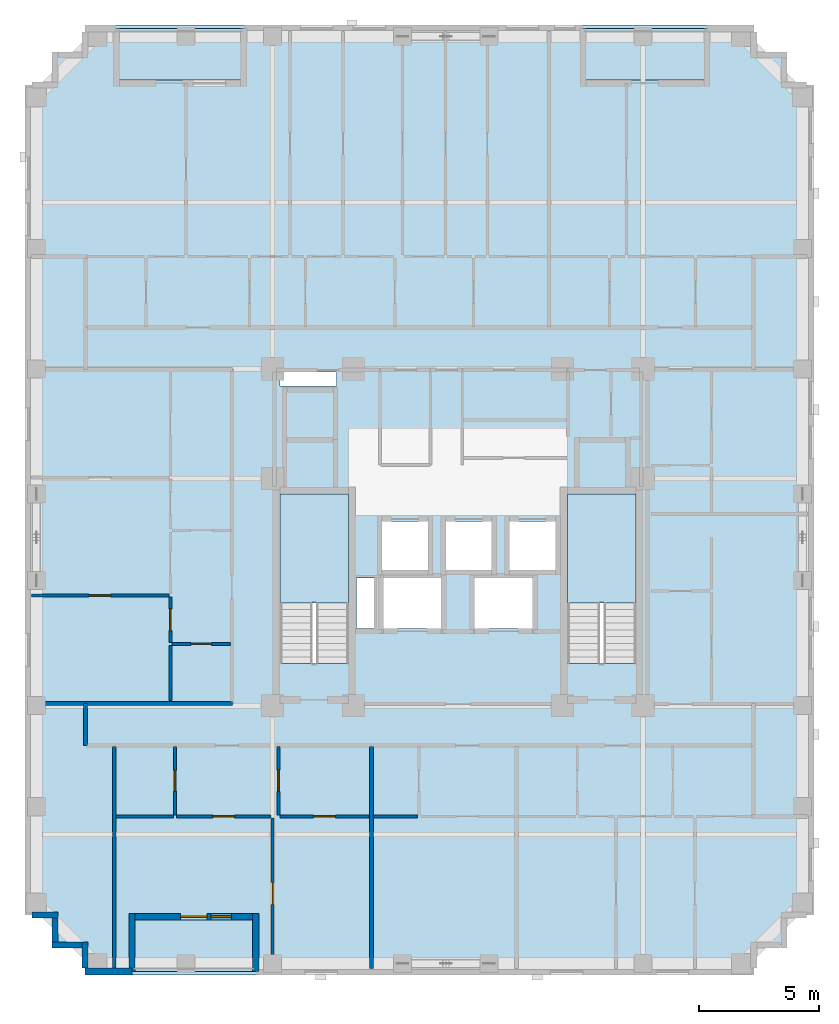
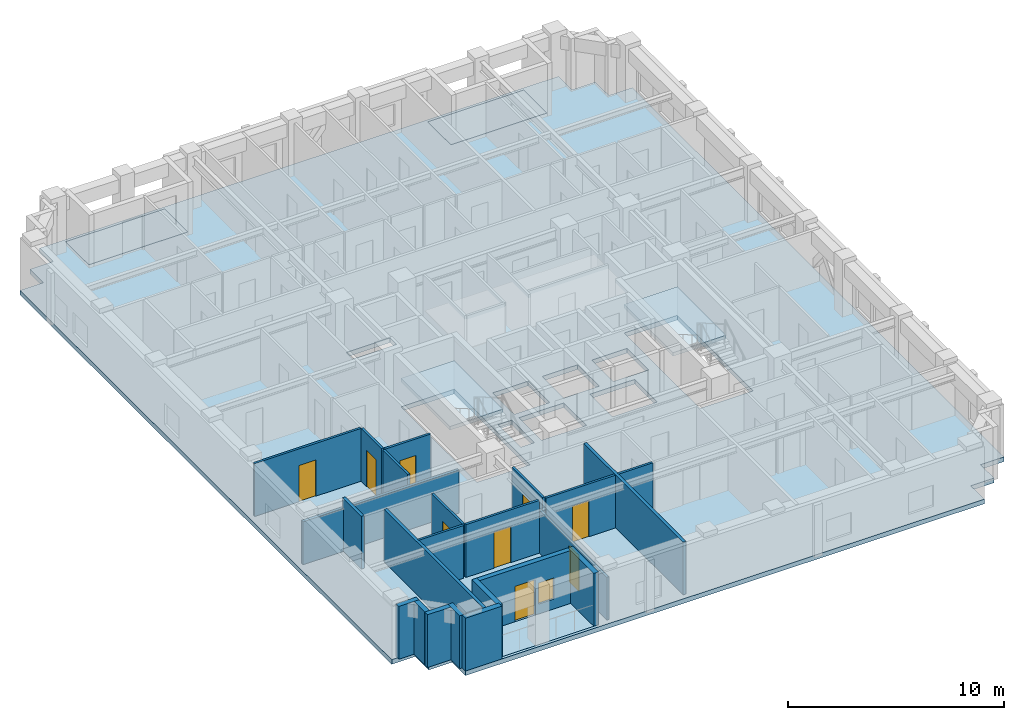
# One storey, part 2 of 11: 23 walls, 9 doors, 6 slabs, 1 window, 10 openings, 2 elements without a shape of their own.
"""IFC4 building model written with IfcOpenShell, lengths in metres."""

from ifc_helpers import new_model, si_unit, derived_unit, direction, frame, frame_2d, origin, place, context, subcontext, project, spatial, polyline, rectangle, outline, extrude, material, layer, layer_set, type_object, element, fill, aggregate, save


model = new_model("IFC4")

# Units and contexts
model_context = context("Model", 3, precision=1e-05, world=origin(), true_north=direction((0.0, 1.0)))
body_context = subcontext(model_context, "Body", "Model", "MODEL_VIEW")
ifc_project = project(units=[si_unit("LENGTHUNIT", "METRE"), si_unit("AREAUNIT", "SQUARE_METRE"), si_unit("VOLUMEUNIT", "CUBIC_METRE"), si_unit("PLANEANGLEUNIT", "RADIAN"), si_unit("MASSUNIT", "GRAM", prefix="KILO"), derived_unit("THERMALTRANSMITTANCEUNIT", [(si_unit("MASSUNIT", "GRAM", prefix="KILO"), 1), (si_unit("TIMEUNIT", "SECOND"), -3), (si_unit("THERMODYNAMICTEMPERATUREUNIT", "KELVIN"), -1)])], contexts=[model_context])

# Site, building, storey
site_placement = place(None, origin())
site = spatial("IfcSite", under=ifc_project, at=site_placement, CompositionType="ELEMENT")
building_placement = place(site_placement, origin())
building = spatial("IfcBuilding", under=site, at=building_placement, Name="Korrvale Station Residences", CompositionType="ELEMENT")
storey_placement = place(building_placement, frame((0.0, 0.0, 134.14990234375)))
storey = spatial("IfcBuildingStorey", under=building, at=storey_placement, Name="L38", CompositionType="ELEMENT", Elevation=134.14990234375)

# Slabs
ifc_material_1 = material(Name="Concrete C50/60", Category="concrete")
ifc_layer_1 = layer(ifc_material_1, 0.219970703125, Name="Concrete C50/60")
ifc_layer_set_1 = layer_set([ifc_layer_1], Name="Concrete C50/60")
slab_type_1 = type_object("IfcSlabType", Name="SLB-BAL-220", PredefinedType="FLOOR", material=ifc_layer_set_1)
slab_1_placement = place(storey_placement, frame((0.0, 0.0, -0.219970703125)))
element("IfcSlab", 1, at=slab_1_placement, inside=storey, type_object=slab_type_1, Name="L38 Recessed Loggia Balcony Slab BAL-L38-S1", PredefinedType="FLOOR", context=body_context, shape_type="SweptSolid", body=[
    extrude(outline(polyline([(11.949951171875, 3.949951171875), (17.10009765625, 3.949951171875), (17.10009765625, 6.10009765625), (11.949951171875, 6.10009765625), (11.949951171875, 3.949951171875)])), origin(), (0.0, 0.0, 1.0), 0.219970703125),
])
slab_2_placement = place(storey_placement, frame((0.0, 0.0, -0.219970703125)))
element("IfcSlab", 2, at=slab_2_placement, inside=storey, type_object=slab_type_1, Name="L38 Recessed Loggia Balcony Slab BAL-L38-N1", PredefinedType="FLOOR", context=body_context, shape_type="SweptSolid", body=[
    extrude(outline(polyline([(30.699951171875, 41.0), (35.85009765625, 41.0), (35.85009765625, 43.14990234375), (30.699951171875, 43.14990234375), (30.699951171875, 41.0)])), origin(), (0.0, 0.0, 1.0), 0.219970703125),
])
slab_3_placement = place(storey_placement, frame((0.0, 0.0, -0.219970703125)))
element("IfcSlab", 3, at=slab_3_placement, inside=storey, type_object=slab_type_1, Name="L38 Recessed Loggia Balcony Slab BAL-L38-N2", PredefinedType="FLOOR", context=body_context, shape_type="SweptSolid", body=[
    extrude(outline(polyline([(11.300048828125, 41.0), (16.60009765625, 41.0), (16.60009765625, 43.14990234375), (11.300048828125, 43.14990234375), (11.300048828125, 41.0)])), origin(), (0.0, 0.0, 1.0), 0.219970703125),
])
ifc_layer_2 = layer(ifc_material_1, 0.260009765625, Name="Concrete C50/60")
ifc_layer_set_2 = layer_set([ifc_layer_2], Name="Concrete C50/60")
slab_type_2 = type_object("IfcSlabType", Name="SLB-FLR-260", PredefinedType="FLOOR", material=ifc_layer_set_2)
slab_4_placement = place(storey_placement, frame((0.0, 0.0, -0.260009765625)))
element("IfcSlab", 4, at=slab_4_placement, inside=storey, type_object=slab_type_2, Name="L38 Suspended Structural Floor Slab", PredefinedType="FLOOR", context=body_context, shape_type="SweptSolid", body=[
    extrude(outline(polyline([(10.0, 3.800048828125), (37.800048828125, 3.800048828125), (37.800048828125, 5.050048828125), (39.050048828125, 5.050048828125), (39.050048828125, 6.300048828125), (40.300048828125, 6.300048828125), (40.300048828125, 40.800048828125), (39.050048828125, 40.800048828125), (39.050048828125, 42.050048828125), (37.800048828125, 42.050048828125), (37.800048828125, 43.300048828125), (10.0, 43.300048828125), (10.0, 42.050048828125), (8.75, 42.050048828125), (8.75, 40.800048828125), (7.5, 40.800048828125), (7.5, 6.300048828125), (8.75, 6.300048828125), (8.75, 5.050048828125), (10.0, 5.050048828125), (10.0, 3.800048828125)]), holes=[polyline([(20.949951171875, 16.751953125), (20.949951171875, 23.800048828125), (18.10009765625, 23.800048828125), (18.10009765625, 16.751953125), (20.949951171875, 16.751953125)]), polyline([(32.89990234375, 16.751953125), (32.89990234375, 23.800048828125), (30.050048828125, 23.800048828125), (30.050048828125, 16.751953125), (32.89990234375, 16.751953125)]), polyline([(22.35009765625, 20.64990234375), (24.25, 20.64990234375), (24.25, 22.64990234375), (22.35009765625, 22.64990234375), (22.35009765625, 20.64990234375)]), polyline([(25.0, 20.64990234375), (26.89990234375, 20.64990234375), (26.89990234375, 22.64990234375), (25.0, 22.64990234375), (25.0, 20.64990234375)]), polyline([(27.64990234375, 20.64990234375), (29.550048828125, 20.64990234375), (29.550048828125, 22.64990234375), (27.64990234375, 22.64990234375), (27.64990234375, 20.64990234375)]), polyline([(22.39990234375, 18.199951171875), (24.800048828125, 18.199951171875), (24.800048828125, 20.300048828125), (22.39990234375, 20.300048828125), (22.39990234375, 18.199951171875)]), polyline([(26.199951171875, 18.199951171875), (28.60009765625, 18.199951171875), (28.60009765625, 20.300048828125), (26.199951171875, 20.300048828125), (26.199951171875, 18.199951171875)]), polyline([(18.10009765625, 28.280029296875), (20.449951171875, 28.280029296875), (20.449951171875, 28.8798828125), (18.10009765625, 28.8798828125), (18.10009765625, 28.280029296875)]), polyline([(21.280029296875, 18.199951171875), (22.02001953125, 18.199951171875), (22.02001953125, 20.300048828125), (21.280029296875, 20.300048828125), (21.280029296875, 18.199951171875)]), polyline([(11.949951171875, 3.949951171875), (17.10009765625, 3.949951171875), (17.10009765625, 6.10009765625), (11.949951171875, 6.10009765625), (11.949951171875, 3.949951171875)]), polyline([(30.699951171875, 41.0), (35.85009765625, 41.0), (35.85009765625, 43.14990234375), (30.699951171875, 43.14990234375), (30.699951171875, 41.0)]), polyline([(11.300048828125, 41.0), (16.60009765625, 41.0), (16.60009765625, 43.14990234375), (11.300048828125, 43.14990234375), (11.300048828125, 41.0)])]), origin(), (0.0, 0.0, 1.0), 0.260009765625),
])

# Stair, slab
stair_type = type_object("IfcStairType", Name="STR-DL-1350-20R-1625", PredefinedType="HALF_TURN_STAIR", material=ifc_material_1)
stair_1_placement = place(storey_placement, origin())
stair_1 = element("IfcStair", 5, at=stair_1_placement, inside=storey, type_object=stair_type, Name="L38 Exit Stair 1", PredefinedType="HALF_TURN_STAIR")
ifc_layer_3 = layer(ifc_material_1, 0.199951171875, Name="Concrete C50/60")
ifc_layer_set_3 = layer_set([ifc_layer_3], Name="Concrete C50/60")
slab_type_3 = type_object("IfcSlabType", Name="SLB-LND-200", PredefinedType="LANDING", material=ifc_layer_set_3)
slab_5_placement = place(storey_placement, frame((0.0, 0.0, 1.425048828125)))
slab_5 = element("IfcSlab", 6, at=slab_5_placement, type_object=slab_type_3, Name="ST-1 landing 1", PredefinedType="LANDING", context=body_context, shape_type="SweptSolid", body=[
    extrude(outline(polyline([(20.949951171875, 19.27001953125), (20.949951171875, 23.800048828125), (18.10009765625, 23.800048828125), (18.10009765625, 19.27001953125), (20.949951171875, 19.27001953125)])), origin(), (0.0, 0.0, 1.0), 0.199951171875),
])
aggregate(stair_1, [slab_5])

stair_2_placement = place(storey_placement, origin())
stair_2 = element("IfcStair", 7, at=stair_2_placement, inside=storey, type_object=stair_type, Name="L38 Exit Stair 2", PredefinedType="HALF_TURN_STAIR")
slab_6_placement = place(storey_placement, frame((0.0, 0.0, 1.425048828125)))
slab_6 = element("IfcSlab", 8, at=slab_6_placement, type_object=slab_type_3, Name="ST-2 landing 1", PredefinedType="LANDING", context=body_context, shape_type="SweptSolid", body=[
    extrude(outline(polyline([(32.89990234375, 19.27001953125), (32.89990234375, 23.800048828125), (30.050048828125, 23.800048828125), (30.050048828125, 19.27001953125), (32.89990234375, 19.27001953125)])), origin(), (0.0, 0.0, 1.0), 0.199951171875),
])
aggregate(stair_2, [slab_6])

# Wall
ifc_material_2 = material(Name="Precast concrete C45/55", Category="concrete")
ifc_layer_4 = layer(ifc_material_2, 0.260009765625, Name="Precast concrete C45/55")
ifc_layer_set_4 = layer_set([ifc_layer_4], Name="Precast concrete C45/55")
wall_type_1 = type_object("IfcWallType", Name="WAL-EXT-LOG260", PredefinedType="SOLIDWALL", material=ifc_layer_set_4)
wall_1_placement = place(storey_placement, frame((17.10009765625, 3.9599609375, 0.0), z_axis=(0.0, 0.0, 1.0), x_axis=(0.0, 1.0, 0.0)))
element("IfcWall", 9, at=wall_1_placement, inside=storey, type_object=wall_type_1, Name="L38 Recessed Loggia Wall BAL-L38-S1-L", PredefinedType="SOLIDWALL", context=body_context, shape_type="SweptSolid", body=[
    extrude(rectangle(XDim=2.400146484375, YDim=0.260009765625, at=frame_2d((1.2001953125, 0.0))), origin(), (0.0, 0.0, 1.0), 2.989990234375),
])

# Wall, openings, door, window
wall_2_placement = place(storey_placement, frame((16.966064453125, 6.22998046875, 0.0), z_axis=(0.0, 0.0, 1.0), x_axis=(-1.0, 0.0, 0.0)))
wall_2 = element("IfcWall", 10, at=wall_2_placement, inside=storey, type_object=wall_type_1, Name="L38 Recessed Loggia Wall BAL-L38-S1-B", PredefinedType="SOLIDWALL", context=body_context, shape_type="SweptSolid", body=[
    extrude(rectangle(XDim=4.882080078125, YDim=0.260009765625, at=frame_2d((2.44091796875, 0.0))), origin(), (0.0, 0.0, 1.0), 2.989990234375),
])
opening_1_placement = place(wall_2_placement, frame((1.89111328125, 0.0, 0.0)))
opening_1 = element("IfcOpeningElement", 11, at=opening_1_placement, cuts=wall_2, Name="Opening BD-01", PredefinedType="OPENING", context=body_context, shape_type="SweptSolid", body=[
    extrude(rectangle(XDim=1.10009765625, YDim=2.0, at=frame_2d((0.550048828125, 1.0))), frame((0.0, 0.14013671875, 0.0), z_axis=(0.0, -1.0, 0.0), x_axis=(1.0, 0.0, 0.0)), (0.0, 0.0, 1.0), 0.280029296875),
])
opening_2_placement = place(wall_2_placement, frame((0.881103515625, 0.0, 0.550048828125)))
opening_2 = element("IfcOpeningElement", 12, at=opening_2_placement, cuts=wall_2, Name="Opening W-11", PredefinedType="OPENING", context=body_context, shape_type="SweptSolid", body=[
    extrude(rectangle(XDim=0.85009765625, YDim=1.199951171875, at=frame_2d((0.425048828125, 0.60009765625))), frame((0.0, 0.14013671875, 0.0), z_axis=(0.0, -1.0, 0.0), x_axis=(1.0, 0.0, 0.0)), (0.0, 0.0, 1.0), 0.280029296875),
])
ifc_material_3 = material(Name="Exterior thermally broken aluminium glazed balcony door", Category="aluminium")
door_type_1 = type_object("IfcDoorType", Name="DR-EXT-BAL", OperationType="NOTDEFINED", PredefinedType="DOOR", material=ifc_material_3)
door_1_placement = place(opening_1_placement, origin())
door_1 = element("IfcDoor", 13, at=door_1_placement, inside=storey, type_object=door_type_1, Name="L38 Loggia Balcony Door BAL-L38-S1", OperationType="SINGLE_SWING_LEFT", OverallHeight=2.0, OverallWidth=1.10009765625, PredefinedType="DOOR", context=body_context, shape_type="SweptSolid", body=[
    extrude(rectangle(XDim=1.10009765625, YDim=2.0, at=frame_2d((0.550048828125, 1.0))), frame((0.0, 0.02490234375, 0.0), z_axis=(0.0, -1.0, 0.0), x_axis=(1.0, 0.0, 0.0)), (0.0, 0.0, 1.0), 0.050048828125),
])
fill(opening_1, door_1)
ifc_material_4 = material(Name="Thermally broken aluminium frame with triple low-e glazing", Category="aluminium")
window_type = type_object("IfcWindowType", Name="WIN-W11", PartitioningType="SINGLE_PANEL", PredefinedType="WINDOW", material=ifc_material_4)
window_placement = place(opening_2_placement, origin())
window = element("IfcWindow", 14, at=window_placement, inside=storey, type_object=window_type, Name="L38 Punched Window 01", OverallHeight=1.199951171875, OverallWidth=0.85009765625, PartitioningType="SINGLE_PANEL", PredefinedType="WINDOW", context=body_context, shape_type="SweptSolid", body=[
    extrude(rectangle(XDim=0.85009765625, YDim=1.199951171875, at=frame_2d((0.425048828125, 0.60009765625))), frame((0.0, 0.030029296875, 0.0), z_axis=(0.0, -1.0, 0.0), x_axis=(1.0, 0.0, 0.0)), (0.0, 0.0, 1.0), 0.06005859375),
])
fill(opening_2, window)

# Walls
wall_3_placement = place(storey_placement, frame((11.949951171875, 6.360107421875, 0.0), z_axis=(0.0, 0.0, 1.0), x_axis=(0.0, -1.0, 0.0)))
element("IfcWall", 15, at=wall_3_placement, inside=storey, type_object=wall_type_1, Name="L38 Recessed Loggia Wall BAL-L38-S1-R", PredefinedType="SOLIDWALL", context=body_context, shape_type="SweptSolid", body=[
    extrude(rectangle(XDim=2.400146484375, YDim=0.260009765625, at=frame_2d((1.2001953125, 0.0))), origin(), (0.0, 0.0, 1.0), 2.989990234375),
])
wall_4_placement = place(storey_placement, frame((10.0, 4.10205078125, 0.0), z_axis=(0.0, 0.0, 1.0), x_axis=(0.0, 1.0, 0.0)))
element("IfcWall", 16, at=wall_4_placement, inside=storey, type_object=wall_type_1, Name="L38 Serrated Corner Precast Step SW-1", PredefinedType="SOLIDWALL", context=body_context, shape_type="SweptSolid", body=[
    extrude(rectangle(XDim=1.077880859375, YDim=0.260009765625, at=frame_2d((0.5390625, 0.0))), origin(), (0.0, 0.0, 1.0), 2.989990234375),
])
wall_5_placement = place(storey_placement, frame((9.867919921875, 5.050048828125, 0.0), z_axis=(0.0, 0.0, 1.0), x_axis=(-1.0, 0.0, 0.0)))
element("IfcWall", 17, at=wall_5_placement, inside=storey, type_object=wall_type_1, Name="L38 Serrated Corner Precast Step SW-2", PredefinedType="SOLIDWALL", context=body_context, shape_type="SweptSolid", body=[
    extrude(rectangle(XDim=1.247802734375, YDim=0.260009765625, at=frame_2d((0.6240234375, 0.0))), origin(), (0.0, 0.0, 1.0), 2.989990234375),
])
wall_6_placement = place(storey_placement, frame((8.75, 5.181884765625, 0.0), z_axis=(0.0, 0.0, 1.0), x_axis=(0.0, 1.0, 0.0)))
element("IfcWall", 18, at=wall_6_placement, inside=storey, type_object=wall_type_1, Name="L38 Serrated Corner Precast Step SW-3", PredefinedType="SOLIDWALL", context=body_context, shape_type="SweptSolid", body=[
    extrude(rectangle(XDim=0.986083984375, YDim=0.260009765625, at=frame_2d((0.4931640625, 0.0))), origin(), (0.0, 0.0, 1.0), 2.989990234375),
])
wall_7_placement = place(storey_placement, frame((8.8798828125, 6.300048828125, 0.0), z_axis=(0.0, 0.0, 1.0), x_axis=(-1.0, 0.0, 0.0)))
element("IfcWall", 19, at=wall_7_placement, inside=storey, type_object=wall_type_1, Name="L38 Serrated Corner Precast Step SW-4", PredefinedType="SOLIDWALL", context=body_context, shape_type="SweptSolid", body=[
    extrude(rectangle(XDim=1.077880859375, YDim=0.260009765625, at=frame_2d((0.5390625, 0.0))), origin(), (0.0, 0.0, 1.0), 2.989990234375),
])
ifc_layer_5 = layer(ifc_material_2, 0.300048828125, Name="Precast concrete C45/55")
ifc_layer_set_5 = layer_set([ifc_layer_5], Name="Precast concrete C45/55")
wall_type_2 = type_object("IfcWallType", Name="WAL-EXT-PC300", PredefinedType="SOLIDWALL", material=ifc_layer_set_5)
wall_8_placement = place(storey_placement, frame((11.949951171875, 3.949951171875, 0.0), z_axis=(0.0, 0.0, 1.0), x_axis=(-1.0, 0.0, 0.0)))
element("IfcWall", 20, at=wall_8_placement, inside=storey, type_object=wall_type_2, Name="L38 South Exterior Precast Wall 2", PredefinedType="SOLIDWALL", context=body_context, shape_type="SweptSolid", body=[
    extrude(rectangle(XDim=1.949951171875, YDim=0.300048828125, at=frame_2d((0.97509765625, 0.0))), origin(), (0.0, 0.0, 1.0), 2.989990234375),
])

# Wall, opening, door
ifc_material_5 = material(Name="Acoustic steel-stud gypsum board partition", Category="steel")
ifc_layer_6 = layer(ifc_material_5, 0.1201171875, Name="Acoustic steel-stud gypsum board partition")
ifc_layer_set_6 = layer_set([ifc_layer_6], Name="Acoustic steel-stud gypsum board partition")
wall_type_3 = type_object("IfcWallType", Name="WAL-PART-125", PredefinedType="PARTITIONING", material=ifc_layer_set_6)
wall_9_placement = place(storey_placement, frame((13.739990234375, 10.4599609375, 0.0), z_axis=(0.0, 0.0, 1.0), x_axis=(0.0, 1.0, 0.0)))
wall_9 = element("IfcWall", 21, at=wall_9_placement, inside=storey, type_object=wall_type_3, Name="L38 Suite Partition U01-V01", PredefinedType="PARTITIONING", context=body_context, shape_type="SweptSolid", body=[
    extrude(rectangle(XDim=2.85009765625, YDim=0.1201171875, at=frame_2d((1.425048828125, 0.0))), origin(), (0.0, 0.0, 1.0), 2.989990234375),
])
opening_3_placement = place(wall_9_placement, frame((0.9951171875, 0.0, 0.0)))
opening_3 = element("IfcOpeningElement", 22, at=opening_3_placement, cuts=wall_9, Name="Opening DB-860", PredefinedType="OPENING", context=body_context, shape_type="SweptSolid", body=[
    extrude(rectangle(XDim=0.860107421875, YDim=2.050048828125, at=frame_2d((0.43017578125, 1.02490234375))), frame((0.0, 0.070068359375, 0.0), z_axis=(0.0, -1.0, 0.0), x_axis=(1.0, 0.0, 0.0)), (0.0, 0.0, 1.0), 0.14013671875),
])
ifc_material_6 = material(Name="Moisture-resistant solid-core bathroom door", Category="timber")
door_type_2 = type_object("IfcDoorType", Name="DR-BATH-860", OperationType="NOTDEFINED", PredefinedType="DOOR", material=ifc_material_6)
door_2_placement = place(opening_3_placement, origin())
door_2 = element("IfcDoor", 23, at=door_2_placement, inside=storey, type_object=door_type_2, Name="L38 Apartment 1BR L38-U01 Bathroom Door", OperationType="SINGLE_SWING_RIGHT", OverallHeight=2.050048828125, OverallWidth=0.860107421875, PredefinedType="DOOR", context=body_context, shape_type="SweptSolid", body=[
    extrude(rectangle(XDim=0.860107421875, YDim=2.050048828125, at=frame_2d((0.43017578125, 1.02490234375))), frame((0.0, 0.02490234375, 0.0), z_axis=(0.0, -1.0, 0.0), x_axis=(1.0, 0.0, 0.0)), (0.0, 0.0, 1.0), 0.050048828125),
])
fill(opening_3, door_2)

# Wall
wall_10_placement = place(storey_placement, frame((11.280029296875, 10.39990234375, 0.0), z_axis=(0.0, 0.0, 1.0), x_axis=(1.0, 0.0, 0.0)))
element("IfcWall", 24, at=wall_10_placement, inside=storey, type_object=wall_type_3, Name="L38 Suite Partition U01-H03", PredefinedType="PARTITIONING", context=body_context, shape_type="SweptSolid", body=[
    extrude(rectangle(XDim=2.39990234375, YDim=0.1201171875, at=frame_2d((1.199951171875, 0.0))), origin(), (0.0, 0.0, 1.0), 2.989990234375),
])

# Wall, opening, door
wall_11_placement = place(storey_placement, frame((18.0400390625, 10.4599609375, 0.0), z_axis=(0.0, 0.0, 1.0), x_axis=(0.0, 1.0, 0.0)))
wall_11 = element("IfcWall", 25, at=wall_11_placement, inside=storey, type_object=wall_type_3, Name="L38 Suite Partition U01-V12", PredefinedType="PARTITIONING", context=body_context, shape_type="SweptSolid", body=[
    extrude(rectangle(XDim=2.85009765625, YDim=0.1201171875, at=frame_2d((1.425048828125, 0.0))), origin(), (0.0, 0.0, 1.0), 2.989990234375),
])
opening_4_placement = place(wall_11_placement, frame((0.97509765625, 0.0, 0.0)))
opening_4 = element("IfcOpeningElement", 26, at=opening_4_placement, cuts=wall_11, Name="Opening DI-900", PredefinedType="OPENING", context=body_context, shape_type="SweptSolid", body=[
    extrude(rectangle(XDim=0.89990234375, YDim=2.050048828125, at=frame_2d((0.449951171875, 1.02490234375))), frame((0.0, 0.070068359375, 0.0), z_axis=(0.0, -1.0, 0.0), x_axis=(1.0, 0.0, 0.0)), (0.0, 0.0, 1.0), 0.14013671875),
])
ifc_material_7 = material(Name="Painted solid-core timber interior room door", Category="wood")
door_type_3 = type_object("IfcDoorType", Name="DR-INT-900", OperationType="NOTDEFINED", PredefinedType="DOOR", material=ifc_material_7)
door_3_placement = place(opening_4_placement, origin())
door_3 = element("IfcDoor", 27, at=door_3_placement, inside=storey, type_object=door_type_3, Name="L38 Apartment 1BR L38-U01 Kitchen Door", OperationType="SINGLE_SWING_LEFT", OverallHeight=2.050048828125, OverallWidth=0.89990234375, PredefinedType="DOOR", context=body_context, shape_type="SweptSolid", body=[
    extrude(rectangle(XDim=0.89990234375, YDim=2.050048828125, at=frame_2d((0.449951171875, 1.02490234375))), frame((0.0, 0.02490234375, 0.0), z_axis=(0.0, -1.0, 0.0), x_axis=(1.0, 0.0, 0.0)), (0.0, 0.0, 1.0), 0.050048828125),
])
fill(opening_4, door_3)

wall_12_placement = place(storey_placement, frame((13.800048828125, 10.39990234375, 0.0), z_axis=(0.0, 0.0, 1.0), x_axis=(1.0, 0.0, 0.0)))
wall_12 = element("IfcWall", 28, at=wall_12_placement, inside=storey, type_object=wall_type_3, Name="L38 Suite Partition U01-H13", PredefinedType="PARTITIONING", context=body_context, shape_type="SweptSolid", body=[
    extrude(rectangle(XDim=3.93994140625, YDim=0.1201171875, at=frame_2d((1.969970703125, 0.0))), origin(), (0.0, 0.0, 1.0), 2.989990234375),
])
opening_5_placement = place(wall_12_placement, frame((1.52001953125, 0.0, 0.0)))
opening_5 = element("IfcOpeningElement", 29, at=opening_5_placement, cuts=wall_12, Name="Opening DI-900", PredefinedType="OPENING", context=body_context, shape_type="SweptSolid", body=[
    extrude(rectangle(XDim=0.89990234375, YDim=2.050048828125, at=frame_2d((0.449951171875, 1.02490234375))), frame((0.0, 0.070068359375, 0.0), z_axis=(0.0, -1.0, 0.0), x_axis=(1.0, 0.0, 0.0)), (0.0, 0.0, 1.0), 0.14013671875),
])
door_4_placement = place(opening_5_placement, origin())
door_4 = element("IfcDoor", 30, at=door_4_placement, inside=storey, type_object=door_type_3, Name="L38 Apartment 1BR L38-U01 Kitchen Door", OperationType="SINGLE_SWING_RIGHT", OverallHeight=2.050048828125, OverallWidth=0.89990234375, PredefinedType="DOOR", context=body_context, shape_type="SweptSolid", body=[
    extrude(rectangle(XDim=0.89990234375, YDim=2.050048828125, at=frame_2d((0.449951171875, 1.02490234375))), frame((0.0, 0.02490234375, 0.0), z_axis=(0.0, -1.0, 0.0), x_axis=(1.0, 0.0, 0.0)), (0.0, 0.0, 1.0), 0.050048828125),
])
fill(opening_5, door_4)

wall_13_placement = place(storey_placement, frame((18.10009765625, 10.39990234375, 0.0), z_axis=(0.0, 0.0, 1.0), x_axis=(1.0, 0.0, 0.0)))
wall_13 = element("IfcWall", 31, at=wall_13_placement, inside=storey, type_object=wall_type_3, Name="L38 Suite Partition U01-H24", PredefinedType="PARTITIONING", context=body_context, shape_type="SweptSolid", body=[
    extrude(rectangle(XDim=3.7080078125, YDim=0.1201171875, at=frame_2d((1.85400390625, 0.0))), origin(), (0.0, 0.0, 1.0), 2.989990234375),
])
opening_6_placement = place(wall_13_placement, frame((1.404052734375, 0.0, 0.0)))
opening_6 = element("IfcOpeningElement", 32, at=opening_6_placement, cuts=wall_13, Name="Opening DI-900", PredefinedType="OPENING", context=body_context, shape_type="SweptSolid", body=[
    extrude(rectangle(XDim=0.89990234375, YDim=2.050048828125, at=frame_2d((0.449951171875, 1.02490234375))), frame((0.0, 0.070068359375, 0.0), z_axis=(0.0, -1.0, 0.0), x_axis=(1.0, 0.0, 0.0)), (0.0, 0.0, 1.0), 0.14013671875),
])
door_5_placement = place(opening_6_placement, origin())
door_5 = element("IfcDoor", 33, at=door_5_placement, inside=storey, type_object=door_type_3, Name="L38 Apartment 1BR L38-U01 Wardrobe Storage Room Door", OperationType="SINGLE_SWING_LEFT", OverallHeight=2.050048828125, OverallWidth=0.89990234375, PredefinedType="DOOR", context=body_context, shape_type="SweptSolid", body=[
    extrude(rectangle(XDim=0.89990234375, YDim=2.050048828125, at=frame_2d((0.449951171875, 1.02490234375))), frame((0.0, 0.02490234375, 0.0), z_axis=(0.0, -1.0, 0.0), x_axis=(1.0, 0.0, 0.0)), (0.0, 0.0, 1.0), 0.050048828125),
])
fill(opening_6, door_5)

wall_14_placement = place(storey_placement, frame((17.800048828125, 4.080078125, 0.0), z_axis=(0.0, 0.0, 1.0), x_axis=(0.0, 1.0, 0.0)))
wall_14 = element("IfcWall", 34, at=wall_14_placement, inside=storey, type_object=wall_type_3, Name="L38 Suite Partition U01-V34", PredefinedType="PARTITIONING", context=body_context, shape_type="SweptSolid", body=[
    extrude(rectangle(XDim=6.260009765625, YDim=0.1201171875, at=frame_2d((3.1298828125, 0.0))), origin(), (0.0, 0.0, 1.0), 2.426025390625),
])
opening_7_placement = place(wall_14_placement, frame((2.6650390625, 0.0, 0.0)))
opening_7 = element("IfcOpeningElement", 35, at=opening_7_placement, cuts=wall_14, Name="Opening DI-900", PredefinedType="OPENING", context=body_context, shape_type="SweptSolid", body=[
    extrude(rectangle(XDim=0.89990234375, YDim=2.050048828125, at=frame_2d((0.449951171875, 1.02490234375))), frame((0.0, 0.070068359375, 0.0), z_axis=(0.0, -1.0, 0.0), x_axis=(1.0, 0.0, 0.0)), (0.0, 0.0, 1.0), 0.14013671875),
])
door_6_placement = place(opening_7_placement, origin())
door_6 = element("IfcDoor", 36, at=door_6_placement, inside=storey, type_object=door_type_3, Name="L38 Apartment 1BR L38-U01 Living and Dining Room Door", OperationType="SINGLE_SWING_RIGHT", OverallHeight=2.050048828125, OverallWidth=0.89990234375, PredefinedType="DOOR", context=body_context, shape_type="SweptSolid", body=[
    extrude(rectangle(XDim=0.89990234375, YDim=2.050048828125, at=frame_2d((0.449951171875, 1.02490234375))), frame((0.0, 0.02490234375, 0.0), z_axis=(0.0, -1.0, 0.0), x_axis=(1.0, 0.0, 0.0)), (0.0, 0.0, 1.0), 0.050048828125),
])
fill(opening_7, door_6)

# Wall
wall_15_placement = place(storey_placement, frame((21.968017578125, 10.39990234375, 0.0), z_axis=(0.0, 0.0, 1.0), x_axis=(1.0, 0.0, 0.0)))
element("IfcWall", 37, at=wall_15_placement, inside=storey, type_object=wall_type_3, Name="L38 Suite Partition U02-H02", PredefinedType="PARTITIONING", context=body_context, shape_type="SweptSolid", body=[
    extrude(rectangle(XDim=1.85009765625, YDim=0.1201171875, at=frame_2d((0.925048828125, 0.0))), origin(), (0.0, 0.0, 1.0), 2.989990234375),
])

# Wall, opening, door
wall_16_placement = place(storey_placement, frame((13.610107421875, 17.570068359375, 0.0), z_axis=(0.0, 0.0, 1.0), x_axis=(1.0, 0.0, 0.0)))
wall_16 = element("IfcWall", 38, at=wall_16_placement, inside=storey, type_object=wall_type_3, Name="L38 Suite Partition U06-H12", PredefinedType="PARTITIONING", context=body_context, shape_type="SweptSolid", body=[
    extrude(rectangle(XDim=2.449951171875, YDim=0.1201171875, at=frame_2d((1.22509765625, 0.0))), origin(), (0.0, 0.0, 1.0), 2.989990234375),
])
opening_8_placement = place(wall_16_placement, frame((0.794921875, 0.0, 0.0)))
opening_8 = element("IfcOpeningElement", 39, at=opening_8_placement, cuts=wall_16, Name="Opening DB-860", PredefinedType="OPENING", context=body_context, shape_type="SweptSolid", body=[
    extrude(rectangle(XDim=0.860107421875, YDim=2.050048828125, at=frame_2d((0.43017578125, 1.02490234375))), frame((0.0, 0.070068359375, 0.0), z_axis=(0.0, -1.0, 0.0), x_axis=(1.0, 0.0, 0.0)), (0.0, 0.0, 1.0), 0.14013671875),
])
door_7_placement = place(opening_8_placement, origin())
door_7 = element("IfcDoor", 40, at=door_7_placement, inside=storey, type_object=door_type_2, Name="L38 Apartment 2BR L38-U06 Bathroom Door", OperationType="SINGLE_SWING_RIGHT", OverallHeight=2.050048828125, OverallWidth=0.860107421875, PredefinedType="DOOR", context=body_context, shape_type="SweptSolid", body=[
    extrude(rectangle(XDim=0.860107421875, YDim=2.050048828125, at=frame_2d((0.43017578125, 1.02490234375))), frame((0.0, 0.02490234375, 0.0), z_axis=(0.0, -1.0, 0.0), x_axis=(1.0, 0.0, 0.0)), (0.0, 0.0, 1.0), 0.050048828125),
])
fill(opening_8, door_7)

# Wall
wall_17_placement = place(storey_placement, frame((13.550048828125, 15.2099609375, 0.0), z_axis=(0.0, 0.0, 1.0), x_axis=(0.0, 1.0, 0.0)))
element("IfcWall", 41, at=wall_17_placement, inside=storey, type_object=wall_type_3, Name="L38 Suite Partition U06-V13", PredefinedType="PARTITIONING", context=body_context, shape_type="SweptSolid", body=[
    extrude(rectangle(XDim=2.300048828125, YDim=0.1201171875, at=frame_2d((1.14990234375, 0.0))), origin(), (0.0, 0.0, 1.0), 2.989990234375),
])

# Wall, opening, door
wall_18_placement = place(storey_placement, frame((13.550048828125, 17.6298828125, 0.0), z_axis=(0.0, 0.0, 1.0), x_axis=(0.0, 1.0, 0.0)))
wall_18 = element("IfcWall", 42, at=wall_18_placement, inside=storey, type_object=wall_type_3, Name="L38 Suite Partition U06-V23", PredefinedType="PARTITIONING", context=body_context, shape_type="SweptSolid", body=[
    extrude(rectangle(XDim=1.88818359375, YDim=0.1201171875, at=frame_2d((0.944091796875, 0.0))), origin(), (0.0, 0.0, 1.0), 2.989990234375),
])
opening_9_placement = place(wall_18_placement, frame((0.493896484375, 0.0, 0.0)))
opening_9 = element("IfcOpeningElement", 43, at=opening_9_placement, cuts=wall_18, Name="Opening DI-900", PredefinedType="OPENING", context=body_context, shape_type="SweptSolid", body=[
    extrude(rectangle(XDim=0.89990234375, YDim=2.050048828125, at=frame_2d((0.449951171875, 1.02490234375))), frame((0.0, 0.070068359375, 0.0), z_axis=(0.0, -1.0, 0.0), x_axis=(1.0, 0.0, 0.0)), (0.0, 0.0, 1.0), 0.14013671875),
])
door_8_placement = place(opening_9_placement, origin())
door_8 = element("IfcDoor", 44, at=door_8_placement, inside=storey, type_object=door_type_3, Name="L38 Apartment 2BR L38-U06 Kitchen Door", OperationType="SINGLE_SWING_LEFT", OverallHeight=2.050048828125, OverallWidth=0.89990234375, PredefinedType="DOOR", context=body_context, shape_type="SweptSolid", body=[
    extrude(rectangle(XDim=0.89990234375, YDim=2.050048828125, at=frame_2d((0.449951171875, 1.02490234375))), frame((0.0, 0.02490234375, 0.0), z_axis=(0.0, -1.0, 0.0), x_axis=(1.0, 0.0, 0.0)), (0.0, 0.0, 1.0), 0.050048828125),
])
fill(opening_9, door_8)

wall_19_placement = place(storey_placement, frame((7.780029296875, 19.577880859375, 0.0), z_axis=(0.0, 0.0, 1.0), x_axis=(1.0, 0.0, 0.0)))
wall_19 = element("IfcWall", 45, at=wall_19_placement, inside=storey, type_object=wall_type_3, Name="L38 Suite Partition U06-H34", PredefinedType="PARTITIONING", context=body_context, shape_type="SweptSolid", body=[
    extrude(rectangle(XDim=5.7099609375, YDim=0.1201171875, at=frame_2d((2.85498046875, 0.0))), origin(), (0.0, 0.0, 1.0), 2.989990234375),
])
opening_10_placement = place(wall_19_placement, frame((2.389892578125, 0.0, 0.0)))
opening_10 = element("IfcOpeningElement", 46, at=opening_10_placement, cuts=wall_19, Name="Opening DI-900", PredefinedType="OPENING", context=body_context, shape_type="SweptSolid", body=[
    extrude(rectangle(XDim=0.89990234375, YDim=2.050048828125, at=frame_2d((0.449951171875, 1.02490234375))), frame((0.0, 0.070068359375, 0.0), z_axis=(0.0, -1.0, 0.0), x_axis=(1.0, 0.0, 0.0)), (0.0, 0.0, 1.0), 0.14013671875),
])
door_9_placement = place(opening_10_placement, origin())
door_9 = element("IfcDoor", 47, at=door_9_placement, inside=storey, type_object=door_type_3, Name="L38 Apartment 2BR L38-U06 Bedroom 1 Door", OperationType="SINGLE_SWING_LEFT", OverallHeight=2.050048828125, OverallWidth=0.89990234375, PredefinedType="DOOR", context=body_context, shape_type="SweptSolid", body=[
    extrude(rectangle(XDim=0.89990234375, YDim=2.050048828125, at=frame_2d((0.449951171875, 1.02490234375))), frame((0.0, 0.02490234375, 0.0), z_axis=(0.0, -1.0, 0.0), x_axis=(1.0, 0.0, 0.0)), (0.0, 0.0, 1.0), 0.050048828125),
])
fill(opening_10, door_9)

# Walls
ifc_material_8 = material(Name="Fire-rated twin-stud gypsum and mineral wool shaftwall assembly", Category="gypsum")
ifc_layer_7 = layer(ifc_material_8, 0.159912109375, Name="Fire-rated twin-stud gypsum and mineral wool shaftwall assembly")
ifc_layer_set_7 = layer_set([ifc_layer_7], Name="Fire-rated twin-stud gypsum and mineral wool shaftwall assembly")
wall_type_4 = type_object("IfcWallType", Name="WAL-PART-200", PredefinedType="PARTITIONING", material=ifc_layer_set_7)
wall_20_placement = place(storey_placement, frame((10.02001953125, 13.35009765625, 0.0), z_axis=(0.0, 0.0, 1.0), x_axis=(0.0, 1.0, 0.0)))
element("IfcWall", 48, at=wall_20_placement, inside=storey, type_object=wall_type_4, Name="L38 Corridor South West Cap", PredefinedType="PARTITIONING", context=body_context, shape_type="SweptSolid", body=[
    extrude(rectangle(XDim=1.739990234375, YDim=0.159912109375, at=frame_2d((0.8701171875, 0.0))), origin(), (0.0, 0.0, 1.0), 2.989990234375),
])
wall_21_placement = place(storey_placement, frame((7.780029296875, 15.090087890625, 0.0), z_axis=(0.0, 0.0, 1.0), x_axis=(1.0, 0.0, 0.0)))
element("IfcWall", 49, at=wall_21_placement, inside=storey, type_object=wall_type_4, Name="L38 West Wing South Corridor Wall", PredefinedType="PARTITIONING", context=body_context, shape_type="SweptSolid", body=[
    extrude(rectangle(XDim=8.35986328125, YDim=0.159912109375, at=frame_2d((4.179931640625, 0.0))), origin(), (0.0, 0.0, 1.0), 2.426025390625),
])
for number, where, z_axis, x_axis, name in (
    (50, (11.219970703125, 4.080078125, 0.0), (0.0, 0.0, 1.0), (0.0, 1.0, 0.0), "L38 Demising Wall U01-W"),
    (51, (21.907958984375, 4.080078125, 0.0), (0.0, 0.0, 1.0), (0.0, 1.0, 0.0), "L38 Demising Wall U02-W"),
):
    element("IfcWall", number, at=place(storey_placement, frame(where, z_axis=z_axis, x_axis=x_axis)), inside=storey, type_object=wall_type_4, Name=name, PredefinedType="PARTITIONING", context=body_context, shape_type="SweptSolid", body=[
        extrude(rectangle(XDim=9.22998046875, YDim=0.159912109375, at=frame_2d((4.614990234375, 0.0))), origin(), (0.0, 0.0, 1.0), 2.989990234375),
    ])

save(model, "model.ifc")
